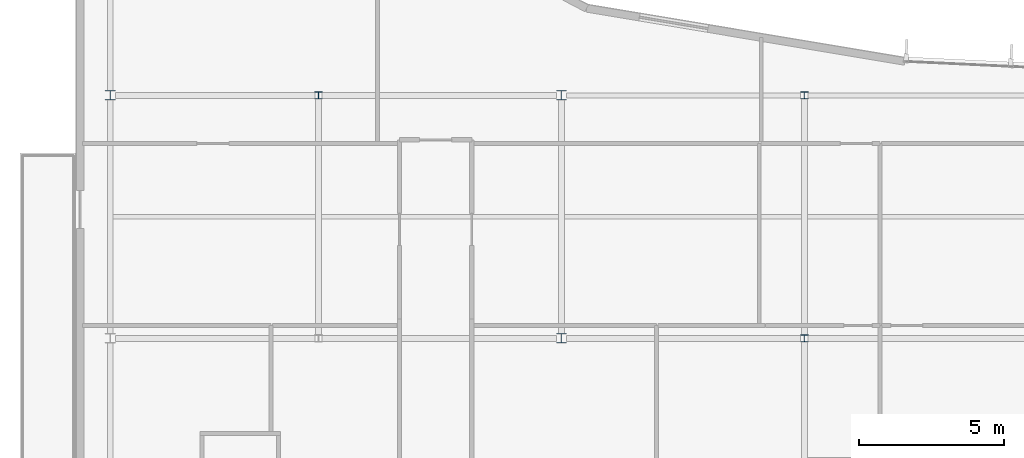
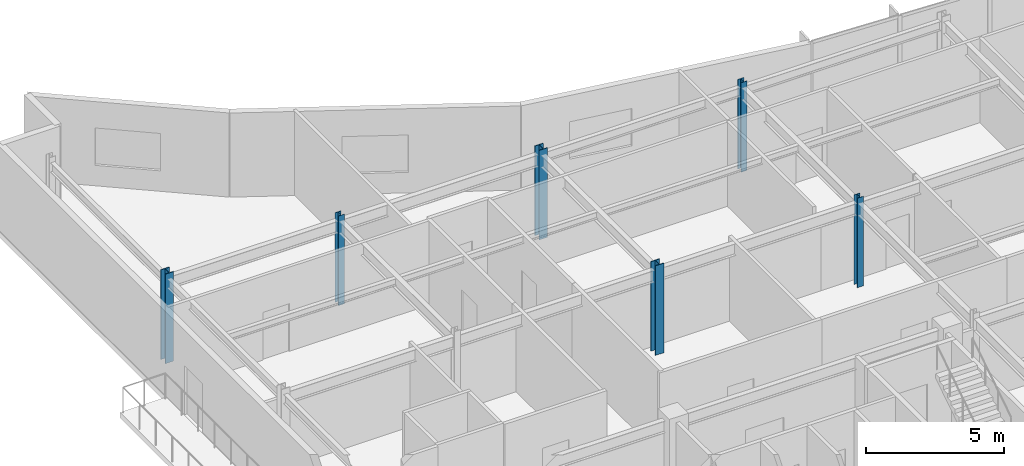
# One storey, part 2 of 16: 6 columns.
"""IFC4 building model written with IfcOpenShell, lengths in metres."""

from ifc_helpers import new_model, si_unit, direction, frame, origin, origin_2d, place, context, subcontext, project, spatial, i_section, extrude, material, material_profile, profile_set, type_object, element, save


model = new_model("IFC4")

# Units and contexts
model_context = context("Model", 3, precision=1e-05, world=origin(), true_north=direction((0.0, 1.0)))
body_context = subcontext(model_context, "Body", "Model", "MODEL_VIEW")
ifc_project = project(units=[si_unit("LENGTHUNIT", "METRE"), si_unit("AREAUNIT", "SQUARE_METRE"), si_unit("VOLUMEUNIT", "CUBIC_METRE"), si_unit("PLANEANGLEUNIT", "RADIAN"), si_unit("MASSUNIT", "GRAM", prefix="KILO")], contexts=[model_context])

# Site, building, storey
site_placement = place(None, origin())
site = spatial("IfcSite", under=ifc_project, at=site_placement, CompositionType="ELEMENT")
building_placement = place(site_placement, origin())
building = spatial("IfcBuilding", under=site, at=building_placement, Name="Varnakote Quay Hospital", CompositionType="ELEMENT")
storey_placement = place(building_placement, frame((0.0, 0.0, 268.39990234375)))
storey = spatial("IfcBuildingStorey", under=building, at=storey_placement, Name="L66", CompositionType="ELEMENT", Elevation=268.39990234375)

# Columns
ifc_material_1 = material(Name="Structural steel AS/NZS 3679.1 Grade 350 L0 (fy 340 MPa)", Category="steel")
ifc_material_profile_1 = material_profile(ifc_material_1, i_section(OverallWidth=0.25390625, OverallDepth=0.25390625, WebThickness=0.008544921875, FlangeThickness=0.01416015625, FilletRadius=0.0126953125, at=origin_2d()), Name="250UC72.9")
ifc_profile_set_1 = profile_set([ifc_material_profile_1], Name="Structural steel AS/NZS 3679.1 Grade 350 L0 (fy 340 MPa)")
column_type_1 = type_object("IfcColumnType", Name="COL-STL-250UC72-9", PredefinedType="COLUMN", material=ifc_profile_set_1)
for number, where, z_axis, x_axis, name in (
    (1, (25.199951171875, 20.39990234375, 0.0), (0.0, 0.0, 1.0), (1.0, 0.0, 0.0), "L66 Structural Column C-25-20"),
    (2, (8.39990234375, 28.800048828125, 0.0), (0.0, 0.0, 1.0), (1.0, 0.0, 0.0), "L66 Structural Column C-8-29"),
    (3, (25.199951171875, 28.800048828125, 0.0), (0.0, 0.0, 1.0), (1.0, 0.0, 0.0), "L66 Structural Column C-25-29"),
):
    element("IfcColumn", number, at=place(storey_placement, frame(where, z_axis=z_axis, x_axis=x_axis)), inside=storey, type_object=column_type_1, Name=name, PredefinedType="COLUMN", context=body_context, shape_type="SweptSolid", body=[
        extrude(i_section(OverallWidth=0.25390625, OverallDepth=0.25390625, WebThickness=0.008544921875, FlangeThickness=0.01416015625, FilletRadius=0.0126953125, at=origin_2d()), origin(), (0.0, 0.0, 1.0), 3.9501953125),
    ])
ifc_material_2 = material(Name="Structural steel AS/NZS 3678 Grade 350 (fy 340 MPa)", Category="steel")
ifc_material_profile_2 = material_profile(ifc_material_2, i_section(OverallWidth=0.35009765625, OverallDepth=0.340087890625, WebThickness=0.01611328125, FlangeThickness=0.028076171875, at=origin_2d()), Name="350WC197")
ifc_profile_set_2 = profile_set([ifc_material_profile_2], Name="Structural steel AS/NZS 3678 Grade 350 (fy 340 MPa)")
column_type_2 = type_object("IfcColumnType", Name="COL-STL-350WC197", PredefinedType="COLUMN", material=ifc_profile_set_2)
for number, where, z_axis, x_axis, name in (
    (4, (16.800048828125, 20.39990234375, 0.0), (0.0, 0.0, 1.0), (1.0, 0.0, 0.0), "L66 Structural Column C-17-20"),
    (5, (1.199951171875, 28.800048828125, 0.0), (0.0, 0.0, 1.0), (1.0, 0.0, 0.0), "L66 Structural Column C-1-29"),
    (6, (16.800048828125, 28.800048828125, 0.0), (0.0, 0.0, 1.0), (1.0, 0.0, 0.0), "L66 Structural Column C-17-29"),
):
    element("IfcColumn", number, at=place(storey_placement, frame(where, z_axis=z_axis, x_axis=x_axis)), inside=storey, type_object=column_type_2, Name=name, PredefinedType="COLUMN", context=body_context, shape_type="SweptSolid", body=[
        extrude(i_section(OverallWidth=0.35009765625, OverallDepth=0.340087890625, WebThickness=0.01611328125, FlangeThickness=0.028076171875, at=origin_2d()), origin(), (0.0, 0.0, 1.0), 3.9501953125),
    ])

save(model, "model.ifc")
